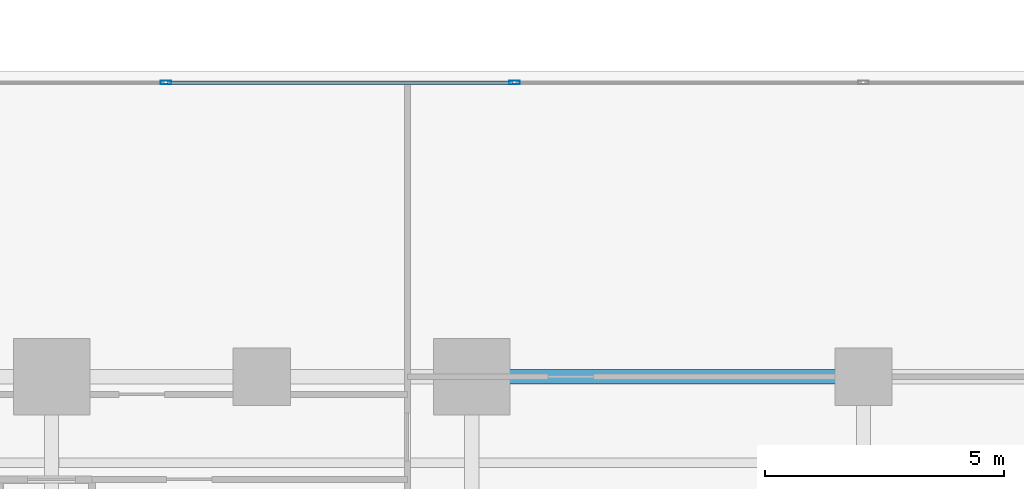
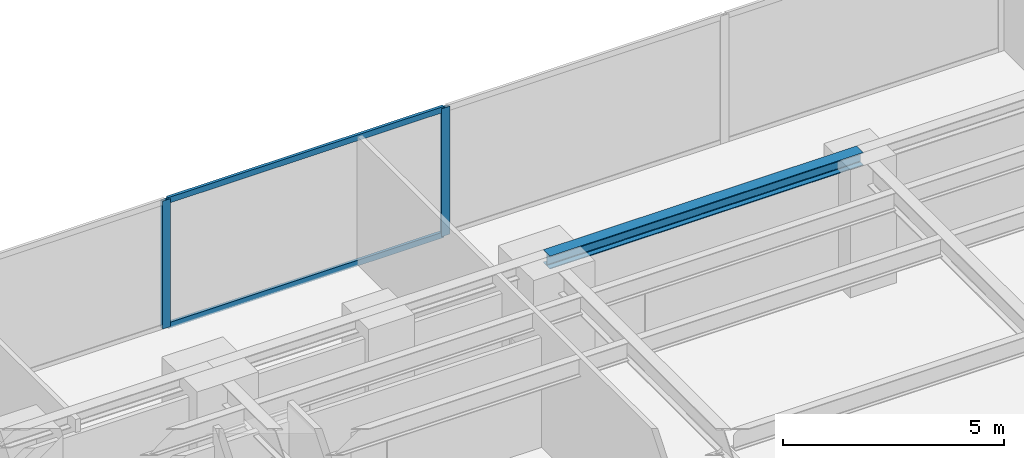
# One storey, part 13 of 29: 4 members, 1 beam, 1 element without a shape of its own.
"""IFC4 building model written with IfcOpenShell, lengths in metres."""

from ifc_helpers import new_model, si_unit, direction, frame, origin, origin_with_axes, origin_2d, place, context, subcontext, project, spatial, hollow_rectangle, i_section, extrude, source, transform, mapped, material, layer, layer_set, material_profile, profile_set, type_object, element, aggregate, save


model = new_model("IFC4")

# Units and contexts
model_context = context("Model", 3, precision=1e-05, world=origin(), true_north=direction((0.0, 1.0)))
body_context = subcontext(model_context, "Body", "Model", "MODEL_VIEW")
ifc_project = project(units=[si_unit("LENGTHUNIT", "METRE"), si_unit("AREAUNIT", "SQUARE_METRE"), si_unit("VOLUMEUNIT", "CUBIC_METRE"), si_unit("PLANEANGLEUNIT", "RADIAN"), si_unit("MASSUNIT", "GRAM", prefix="KILO")], contexts=[model_context])

# Site, building, storey
site_placement = place(None, origin())
site = spatial("IfcSite", under=ifc_project, at=site_placement, CompositionType="ELEMENT")
building_placement = place(site_placement, origin())
building = spatial("IfcBuilding", under=site, at=building_placement, Name="Kolvaren Waterfront Exchange", CompositionType="ELEMENT")
storey_placement = place(building_placement, frame((0.0, 0.0, 37.199951171875)))
storey = spatial("IfcBuildingStorey", under=building, at=storey_placement, Name="L09", CompositionType="ELEMENT", Elevation=37.199951171875)

# Beam
ifc_material_1 = material(Name="Steel S355", Category="steel")
ifc_material_profile_1 = material_profile(ifc_material_1, i_section(OverallWidth=0.300048828125, OverallDepth=0.360107421875, WebThickness=0.012451171875, FlangeThickness=0.0224609375, FilletRadius=0.027099609375, at=origin_2d()), Name="HEB360")
ifc_profile_set_1 = profile_set([ifc_material_profile_1], Name="Steel S355")
beam_type = type_object("IfcBeamType", Name="STR-BM-HEB360", PredefinedType="SPANDREL", material=ifc_profile_set_1)
beam_placement = place(storey_placement, frame((45.60009765625, 17.39990234375, 3.360107421875), z_axis=(1.0, 0.0, 0.0), x_axis=(0.0, 1.0, 0.0)))
element("IfcBeam", 1, at=beam_placement, inside=storey, type_object=beam_type, Name="L09 east-arm spandrel N4", PredefinedType="SPANDREL", context=body_context, shape_type="SweptSolid", body=[
    extrude(i_section(OverallWidth=0.300048828125, OverallDepth=0.360107421875, WebThickness=0.012451171875, FlangeThickness=0.0224609375, FilletRadius=0.027099609375, at=origin_2d()), origin(), (0.0, 0.0, 1.0), 8.199951171875),
])

# Curtain wall, members
ifc_material_2 = material(Name="Anodised bronze aluminium 6063-T6", Category="aluminium")
ifc_layer = layer(ifc_material_2, 0.219970703125, Name="Anodised bronze aluminium 6063-T6")
ifc_layer_set = layer_set([ifc_layer], Name="Anodised bronze aluminium 6063-T6")
curtain_wall_type = type_object("IfcCurtainWallType", Name="ARC-CW-SYS1", PredefinedType="USERDEFINED", material=ifc_layer_set)
curtain_wall_placement = place(storey_placement, origin())
curtain_wall = element("IfcCurtainWall", 2, at=curtain_wall_placement, inside=storey, type_object=curtain_wall_type, Name="L09 stick curtain wall CW1 (CW-L09-EN)", ObjectType="STICK CURTAIN WALL", PredefinedType="USERDEFINED")
ifc_material_3 = material(Name="Anodised aluminium 6063-T6", Category="aluminium")
ifc_material_profile_2 = material_profile(ifc_material_3, hollow_rectangle(XDim=0.074951171875, YDim=0.159912109375, WallThickness=0.00439453125, at=origin_2d()), Name="ALU-TRN-160x75x4.5")
ifc_profile_set_2 = profile_set([ifc_material_profile_2], Name="Anodised aluminium 6063-T6")
member_type_1 = type_object("IfcMemberType", Name="ARC-CWT-160", PredefinedType="USERDEFINED", material=ifc_profile_set_2)
shared_shape_1 = source(origin_with_axes(), body_context, "Body", "SweptSolid", [
    extrude(hollow_rectangle(XDim=0.074951171875, YDim=0.159912109375, WallThickness=0.00439453125, at=origin_2d()), origin(), (0.0, 0.0, 1.0), 7.22265625),
])
member_1_placement = place(storey_placement, frame((39.232421875, 23.56005859375, 0.03759765625), z_axis=(1.0, 0.0, 0.0), x_axis=(0.0, 1.0, 0.0)))
member_1 = element("IfcMember", 3, at=member_1_placement, type_object=member_type_1, Name="CW1 transom 2.1", ObjectType="TRANSOM", PredefinedType="USERDEFINED", context=body_context, shape_type="MappedRepresentation", body=[
    mapped(shared_shape_1, transform((0.0, 0.0, 0.0), x_axis=(1.0, 0.0, 0.0), y_axis=(0.0, 1.0, 0.0), z_axis=(0.0, 0.0, 1.0), scale=1.0)),
])
member_2_placement = place(storey_placement, frame((39.232421875, 23.56005859375, 3.50244140625), z_axis=(1.0, 0.0, 0.0), x_axis=(0.0, 1.0, 0.0)))
member_2 = element("IfcMember", 4, at=member_2_placement, type_object=member_type_1, Name="CW1 transom 2.2", ObjectType="TRANSOM", PredefinedType="USERDEFINED", context=body_context, shape_type="MappedRepresentation", body=[
    mapped(shared_shape_1, transform((0.0, 0.0, 0.0), x_axis=(1.0, 0.0, 0.0), y_axis=(0.0, 1.0, 0.0), z_axis=(0.0, 0.0, 1.0), scale=1.0)),
])
ifc_material_profile_3 = material_profile(ifc_material_3, hollow_rectangle(XDim=0.080078125, YDim=0.219970703125, WallThickness=0.0048828125, at=origin_2d()), Name="ALU-MUL-220x80x5")
ifc_profile_set_3 = profile_set([ifc_material_profile_3], Name="Anodised aluminium 6063-T6")
member_type_2 = type_object("IfcMemberType", Name="ARC-CWM-220", PredefinedType="MULLION", material=ifc_profile_set_3)
shared_shape_2 = source(origin_with_axes(), body_context, "Body", "SweptSolid", [
    extrude(hollow_rectangle(XDim=0.080078125, YDim=0.219970703125, WallThickness=0.0048828125, at=origin_2d()), origin(), (0.0, 0.0, 1.0), 3.5400390625),
])
member_3_placement = place(storey_placement, frame((39.1923828125, 23.56005859375, 0.0), z_axis=(0.0, 0.0, 1.0), x_axis=(0.0, 1.0, 0.0)))
member_3 = element("IfcMember", 5, at=member_3_placement, type_object=member_type_2, Name="CW1 mullion 2", PredefinedType="MULLION", context=body_context, shape_type="MappedRepresentation", body=[
    mapped(shared_shape_2, transform((0.0, 0.0, 0.0), x_axis=(1.0, 0.0, 0.0), y_axis=(0.0, 1.0, 0.0), z_axis=(0.0, 0.0, 1.0), scale=1.0)),
])
member_4_placement = place(storey_placement, frame((46.4951171875, 23.56005859375, 0.0), z_axis=(0.0, 0.0, 1.0), x_axis=(0.0, 1.0, 0.0)))
member_4 = element("IfcMember", 6, at=member_4_placement, type_object=member_type_2, Name="CW1 mullion 3", PredefinedType="MULLION", context=body_context, shape_type="MappedRepresentation", body=[
    mapped(shared_shape_2, transform((0.0, 0.0, 0.0), x_axis=(1.0, 0.0, 0.0), y_axis=(0.0, 1.0, 0.0), z_axis=(0.0, 0.0, 1.0), scale=1.0)),
])
aggregate(curtain_wall, [member_3, member_4, member_1, member_2])

save(model, "model.ifc")
